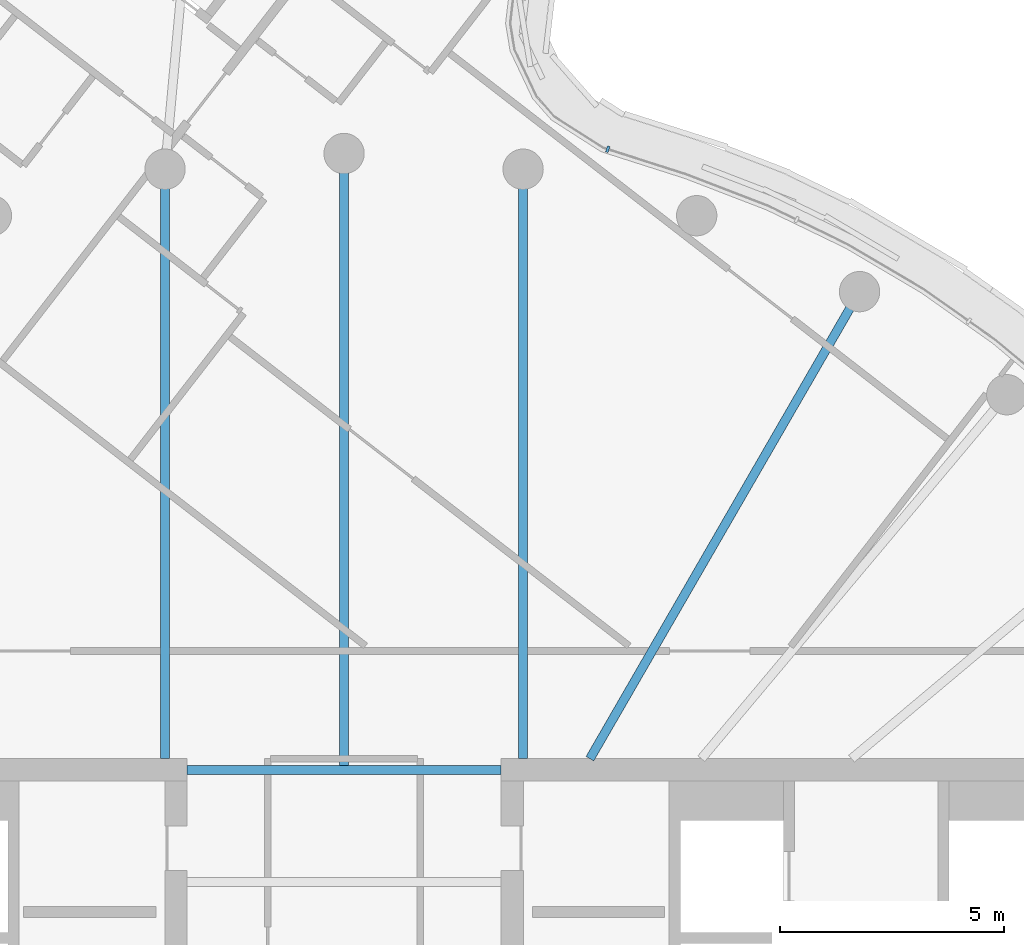
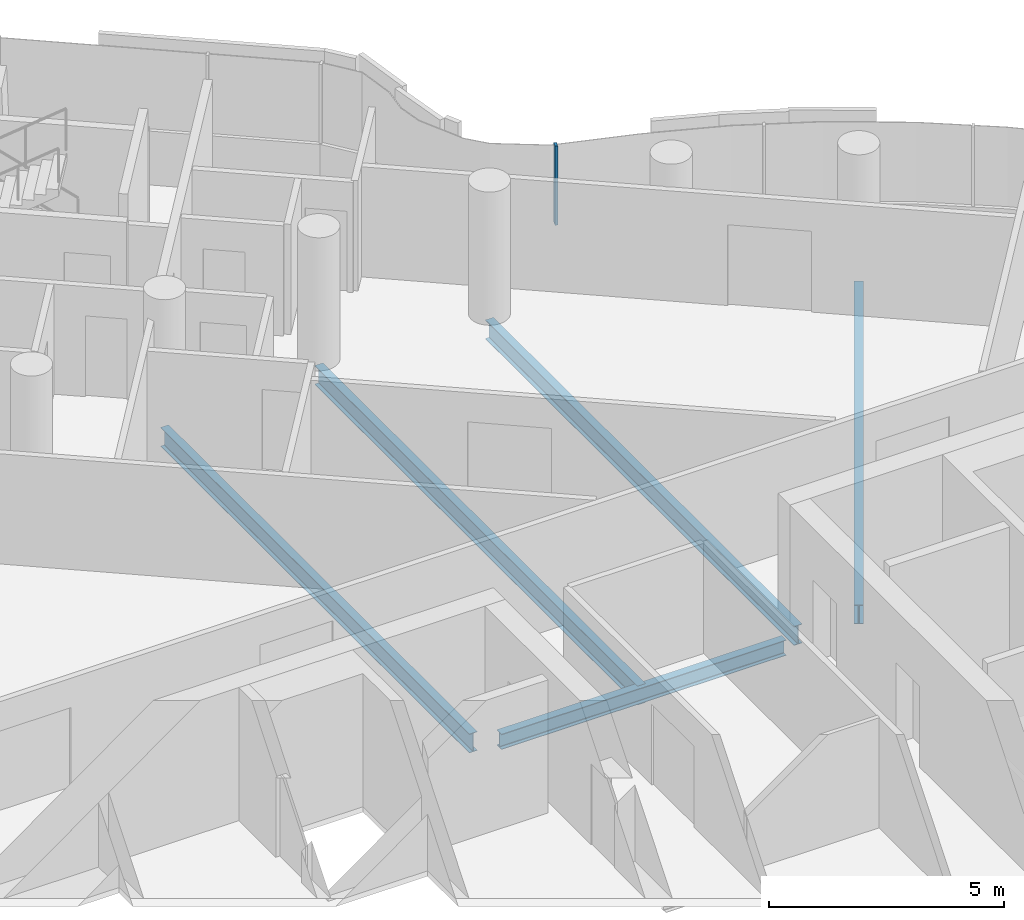
# One storey, part 11 of 26: 5 beams, 1 member, 1 element without a shape of its own.
"""IFC4 building model written with IfcOpenShell, lengths in metres."""

from ifc_helpers import new_model, si_unit, direction, frame, origin, origin_2d, place, context, subcontext, project, spatial, rectangle, i_section, extrude, material, layer, layer_set, material_profile, profile_set, type_object, element, aggregate, save


model = new_model("IFC4")

# Units and contexts
model_context = context("Model", 3, precision=1e-05, world=origin(), true_north=direction((0.0, 1.0)))
body_context = subcontext(model_context, "Body", "Model", "MODEL_VIEW")
ifc_project = project(units=[si_unit("LENGTHUNIT", "METRE"), si_unit("AREAUNIT", "SQUARE_METRE"), si_unit("VOLUMEUNIT", "CUBIC_METRE"), si_unit("PLANEANGLEUNIT", "RADIAN"), si_unit("MASSUNIT", "GRAM", prefix="KILO")], contexts=[model_context])

# Site, building, storey
site_placement = place(None, origin())
site = spatial("IfcSite", under=ifc_project, at=site_placement, CompositionType="ELEMENT")
building_placement = place(site_placement, origin())
building = spatial("IfcBuilding", under=site, at=building_placement, Name="Tamarind Cross Interchange Tower", CompositionType="ELEMENT")
storey_placement = place(building_placement, frame((0.0, 0.0, 223.5)))
storey = spatial("IfcBuildingStorey", under=building, at=storey_placement, Name="L56", CompositionType="ELEMENT", Elevation=223.5)

# Beams
ifc_material_1 = material(Name="Steel Q355B", Category="steel")
ifc_material_profile_1 = material_profile(ifc_material_1, i_section(OverallWidth=0.199951171875, OverallDepth=0.39990234375, WebThickness=0.008056640625, FlangeThickness=0.012939453125, FilletRadius=0.01611328125, at=origin_2d()), Name="HN 400x200x8x13")
ifc_profile_set_1 = profile_set([ifc_material_profile_1], Name="Steel Q355B")
beam_type_1 = type_object("IfcBeamType", Name="Composite beam HN 400x200x8x13 Q355B", PredefinedType="BEAM", material=ifc_profile_set_1)
beam_1_placement = place(storey_placement, frame((-3.5, 9.25, -0.340087890625), z_axis=(1.0, 0.0, 0.0), x_axis=(0.0, 1.0, 0.0)))
element("IfcBeam", 1, at=beam_1_placement, inside=storey, type_object=beam_type_1, Name="Beam G9.25", PredefinedType="BEAM", context=body_context, shape_type="SweptSolid", body=[
    extrude(i_section(OverallWidth=0.199951171875, OverallDepth=0.39990234375, WebThickness=0.008056640625, FlangeThickness=0.012939453125, FilletRadius=0.01611328125, at=origin_2d()), origin(), (0.0, 0.0, 1.0), 7.0),
])
ifc_material_profile_2 = material_profile(ifc_material_1, i_section(OverallWidth=0.198974609375, OverallDepth=0.49609375, WebThickness=0.009033203125, FlangeThickness=0.013916015625, FilletRadius=0.012939453125, at=origin_2d()), Name="HN 496x199x9x14")
ifc_profile_set_2 = profile_set([ifc_material_profile_2], Name="Steel Q355B")
beam_type_2 = type_object("IfcBeamType", Name="Composite beam HN 496x199x9x14 Q355B", PredefinedType="BEAM", material=ifc_profile_set_2)
beam_2_placement = place(storey_placement, frame((11.5, 19.918701171875, -0.387939453125), z_axis=(-0.499993565836, -0.866029118519, 0.0), x_axis=(0.866029118519, -0.499993565836, 0.0)))
element("IfcBeam", 2, at=beam_2_placement, inside=storey, type_object=beam_type_2, Name="Beam HH06", PredefinedType="BEAM", context=body_context, shape_type="SweptSolid", body=[
    extrude(i_section(OverallWidth=0.198974609375, OverallDepth=0.49609375, WebThickness=0.009033203125, FlangeThickness=0.013916015625, FilletRadius=0.012939453125, at=origin_2d()), origin(), (0.0, 0.0, 1.0), 12.030517578125),
])
beam_3_placement = place(storey_placement, frame((3.993896484375, 22.650634765625, -0.387939453125), z_axis=(0.0, -1.0, 0.0), x_axis=(1.0, 0.0, 0.0)))
element("IfcBeam", 3, at=beam_3_placement, inside=storey, type_object=beam_type_2, Name="Beam HH08", PredefinedType="BEAM", context=body_context, shape_type="SweptSolid", body=[
    extrude(i_section(OverallWidth=0.198974609375, OverallDepth=0.49609375, WebThickness=0.009033203125, FlangeThickness=0.013916015625, FilletRadius=0.012939453125, at=origin_2d()), origin(), (0.0, 0.0, 1.0), 13.150634765625),
])
beam_4_placement = place(storey_placement, frame((0.0, 23.0, -0.387939453125), z_axis=(0.0, -1.0, 0.0), x_axis=(1.0, 0.0, 0.0)))
element("IfcBeam", 4, at=beam_4_placement, inside=storey, type_object=beam_type_2, Name="Beam HH09", PredefinedType="BEAM", context=body_context, shape_type="SweptSolid", body=[
    extrude(i_section(OverallWidth=0.198974609375, OverallDepth=0.49609375, WebThickness=0.009033203125, FlangeThickness=0.013916015625, FilletRadius=0.012939453125, at=origin_2d()), origin(), (0.0, 0.0, 1.0), 13.75),
])
beam_5_placement = place(storey_placement, frame((-3.993896484375, 22.650634765625, -0.387939453125), z_axis=(0.0, -1.0, 0.0), x_axis=(1.0, 0.0, 0.0)))
element("IfcBeam", 5, at=beam_5_placement, inside=storey, type_object=beam_type_2, Name="Beam HH10", PredefinedType="BEAM", context=body_context, shape_type="SweptSolid", body=[
    extrude(i_section(OverallWidth=0.198974609375, OverallDepth=0.49609375, WebThickness=0.009033203125, FlangeThickness=0.013916015625, FilletRadius=0.012939453125, at=origin_2d()), origin(), (0.0, 0.0, 1.0), 13.150634765625),
])

# Curtain wall, member
ifc_material_2 = material(Name="Aluminium 6063-T6", Category="aluminium")
ifc_layer = layer(ifc_material_2, 0.139892578125)
ifc_layer_set = layer_set([ifc_layer], Name="Aluminium 6063-T6")
curtain_wall_type = type_object("IfcCurtainWallType", Name="Hotel curtain wall, 4.5 m bays", PredefinedType="NOTDEFINED", material=ifc_layer_set)
curtain_wall_placement = place(storey_placement, origin())
curtain_wall = element("IfcCurtainWall", 6, at=curtain_wall_placement, inside=storey, type_object=curtain_wall_type, Name="CWS-L56-02", PredefinedType="NOTDEFINED")
ifc_material_profile_3 = material_profile(ifc_material_2, rectangle(XDim=0.06005859375, YDim=0.139892578125, at=origin_2d()), Name="Mullion CW2")
ifc_profile_set_3 = profile_set([ifc_material_profile_3], Name="Aluminium 6063-T6")
member_type = type_object("IfcMemberType", Name="Mullion CW2", PredefinedType="MULLION", material=ifc_profile_set_3)
member_placement = place(storey_placement, frame((5.882568359375, 23.09814453125, 1.39990234375), z_axis=(0.0, 0.0, 1.0), x_axis=(-0.952500204804, 0.304537944842, 0.0)))
member = element("IfcMember", 7, at=member_placement, type_object=member_type, Name="CWM-L56-02-21", PredefinedType="MULLION", context=body_context, shape_type="SweptSolid", body=[
    extrude(rectangle(XDim=0.06005859375, YDim=0.139892578125, at=origin_2d()), origin(), (0.0, 0.0, 1.0), 2.06005859375),
])
aggregate(curtain_wall, [member])

save(model, "model.ifc")
